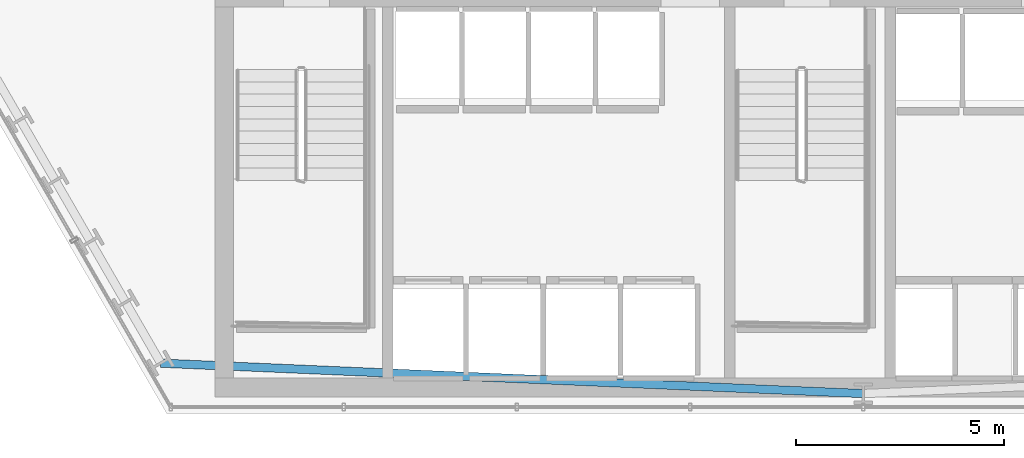
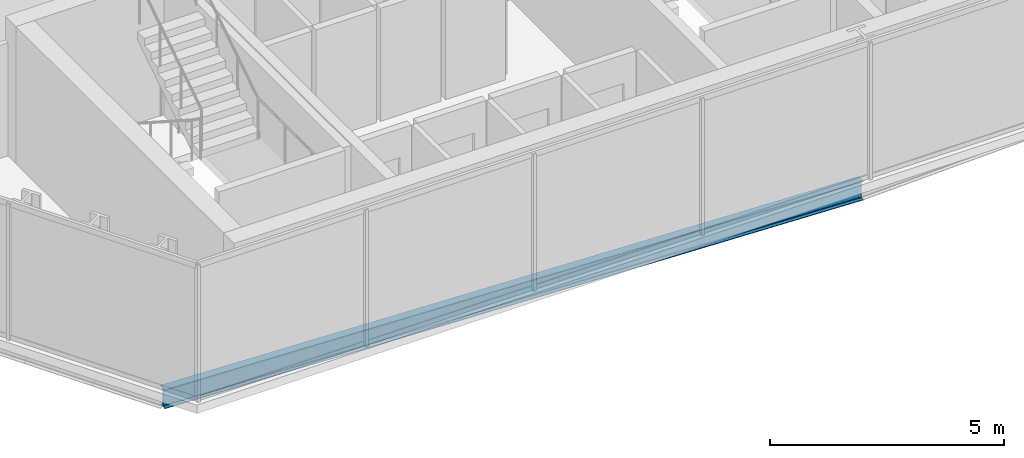
# One storey, part 3 of 32: 1 beam.
"""IFC4 building model written with IfcOpenShell, lengths in metres."""

from ifc_helpers import new_model, si_unit, direction, frame, origin, origin_2d, place, context, subcontext, project, spatial, i_section, extrude, material, material_profile, profile_set, type_object, element, save


model = new_model("IFC4")

# Units and contexts
model_context = context("Model", 3, precision=1e-05, world=origin(), true_north=direction((0.0, 1.0)))
body_context = subcontext(model_context, "Body", "Model", "MODEL_VIEW")
ifc_project = project(units=[si_unit("LENGTHUNIT", "METRE"), si_unit("AREAUNIT", "SQUARE_METRE"), si_unit("VOLUMEUNIT", "CUBIC_METRE"), si_unit("PLANEANGLEUNIT", "RADIAN"), si_unit("MASSUNIT", "GRAM", prefix="KILO")], contexts=[model_context])

# Site, building, storey
site_placement = place(None, origin())
site = spatial("IfcSite", under=ifc_project, at=site_placement, CompositionType="ELEMENT")
building_placement = place(site_placement, origin())
building = spatial("IfcBuilding", under=site, at=building_placement, Name="Ndaravel Arena Tower", CompositionType="ELEMENT")
storey_placement = place(building_placement, frame((0.0, 0.0, 93.0)))
storey = spatial("IfcBuildingStorey", under=building, at=storey_placement, Name="L21", CompositionType="ELEMENT", Elevation=93.0)

# Beam
ifc_material = material(Name="Steel S355", Category="steel")
ifc_material_profile = material_profile(ifc_material, i_section(OverallWidth=0.199951171875, OverallDepth=0.5, WebThickness=0.01025390625, FlangeThickness=0.01611328125, FilletRadius=0.02099609375, at=origin_2d()), Name="IPE 500")
ifc_profile_set = profile_set([ifc_material_profile], Name="Steel S355")
beam_type = type_object("IfcBeamType", Name="BM-SPAN-IPE500", PredefinedType="SPANDREL", material=ifc_profile_set)
beam_placement = place(storey_placement, frame((25.15087890625, 6.2099609375, -0.469970703125), z_axis=(0.999062811126, -0.043283939567, 0.0), x_axis=(0.043283939567, 0.999062811126, 0.0)))
element("IfcBeam", 1, at=beam_placement, inside=storey, type_object=beam_type, Name="L21 Perimeter Spandrel Beam SP-27", PredefinedType="SPANDREL", context=body_context, shape_type="SweptSolid", body=[
    extrude(i_section(OverallWidth=0.199951171875, OverallDepth=0.5, WebThickness=0.01025390625, FlangeThickness=0.01611328125, FilletRadius=0.02099609375, at=origin_2d()), origin(), (0.0, 0.0, 1.0), 16.864990234375),
])

save(model, "model.ifc")
